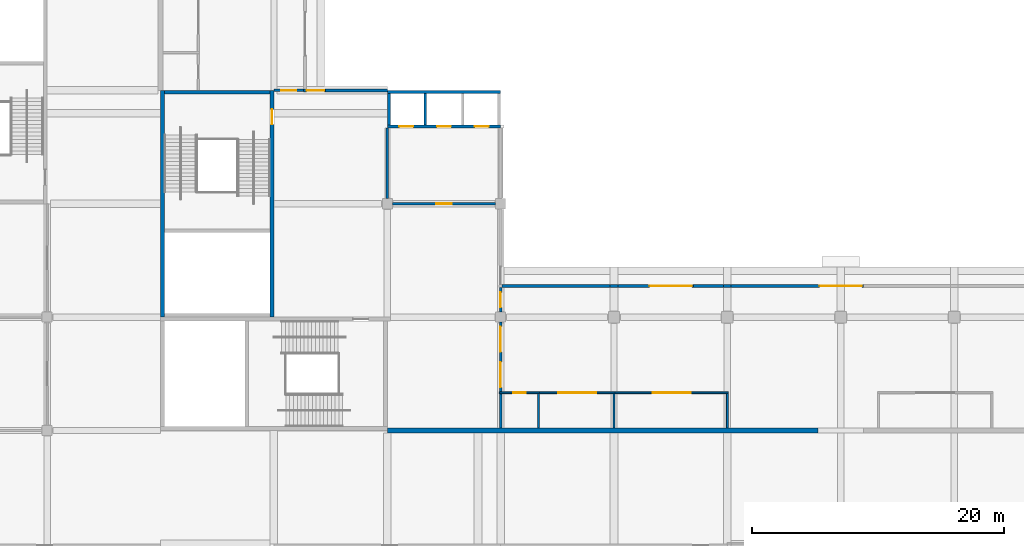
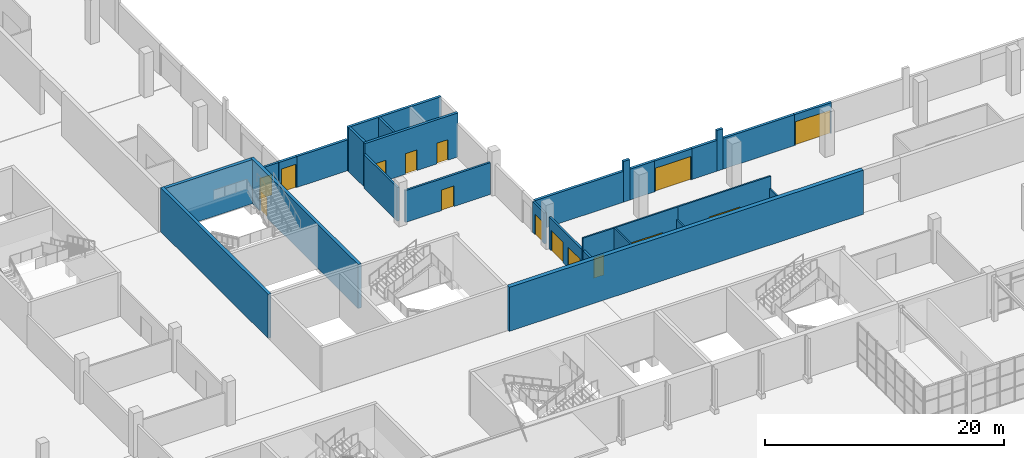
# One storey, part 94 of 168: 30 walls, 15 doors, 15 openings.
"""IFC4 building model written with IfcOpenShell, lengths in metres."""

from ifc_helpers import new_model, si_unit, direction, frame, frame_2d, origin, place, context, subcontext, project, spatial, rectangle, extrude, material, layer, layer_set, type_object, element, fill, save


model = new_model("IFC4")

# Units and contexts
model_context = context("Model", 3, precision=1e-05, world=origin(), true_north=direction((0.0, 1.0)))
body_context = subcontext(model_context, "Body", "Model", "MODEL_VIEW")
ifc_project = project(units=[si_unit("LENGTHUNIT", "METRE"), si_unit("AREAUNIT", "SQUARE_METRE"), si_unit("VOLUMEUNIT", "CUBIC_METRE"), si_unit("PLANEANGLEUNIT", "RADIAN"), si_unit("MASSUNIT", "GRAM", prefix="KILO")], contexts=[model_context])

# Site, building, storey
site_placement = place(None, origin())
site = spatial("IfcSite", under=ifc_project, at=site_placement, CompositionType="ELEMENT")
building_placement = place(site_placement, origin())
building = spatial("IfcBuilding", under=site, at=building_placement, Name="Silverbay Arena", CompositionType="ELEMENT")
storey_placement = place(building_placement, frame((0.0, 0.0, 7.0)))
storey = spatial("IfcBuildingStorey", under=building, at=storey_placement, Name="L01", CompositionType="ELEMENT", Elevation=7.0)

# Wall, opening, door
ifc_material_1 = material(Name="Concrete Grade C45", Category="concrete")
ifc_layer_1 = layer(ifc_material_1, 0.25)
ifc_layer_set_1 = layer_set([ifc_layer_1], Name="Concrete Grade C45")
wall_type_1 = type_object("IfcWallType", Name="Bowl enclosure wall RC 250 EI 120", PredefinedType="SOLIDWALL", material=ifc_layer_set_1)
wall_1_placement = place(storey_placement, frame((85.10009765625, 63.0, 0.0), z_axis=(0.0, 0.0, 1.0), x_axis=(-1.0, 0.0, 0.0)))
wall_1 = element("IfcWall", 1, at=wall_1_placement, inside=storey, type_object=wall_type_1, Name="gangway West lower stand end", PredefinedType="SOLIDWALL", context=body_context, shape_type="SweptSolid", body=[
    extrude(rectangle(XDim=1.75, YDim=0.25, at=frame_2d((0.875, 0.0))), origin(), (0.0, 0.0, 1.0), 3.14990234375),
])
opening_1_placement = place(wall_1_placement, frame((0.10009765625, 0.0, 0.0)))
opening_1 = element("IfcOpeningElement", 2, at=opening_1_placement, cuts=wall_1, Name="Opening L01-155", PredefinedType="OPENING", context=body_context, shape_type="SweptSolid", body=[
    extrude(rectangle(XDim=1.39990234375, YDim=2.39990234375, at=frame_2d((0.699951171875, 1.199951171875))), frame((0.0, 0.135009765625, 0.0), z_axis=(0.0, -1.0, 0.0), x_axis=(1.0, 0.0, 0.0)), (0.0, 0.0, 1.0), 0.27001953125),
])
ifc_material_2 = material(Name="Steel", Category="steel")
door_type_1 = type_object("IfcDoorType", Name="Fire door set 1400 x 2400 FD120S gangway", OperationType="DOUBLE_DOOR_SINGLE_SWING", PredefinedType="DOOR", material=ifc_material_2)
door_1_placement = place(opening_1_placement, origin())
door_1 = element("IfcDoor", 3, at=door_1_placement, inside=storey, type_object=door_type_1, Name="Fire door set L01 gangway West lower stand end", OperationType="DOUBLE_DOOR_SINGLE_SWING", OverallHeight=2.39990234375, OverallWidth=1.39990234375, PredefinedType="DOOR", context=body_context, shape_type="SweptSolid", body=[
    extrude(rectangle(XDim=1.39990234375, YDim=2.39990234375, at=frame_2d((0.699951171875, 1.199951171875))), frame((0.0, 0.02490234375, 0.0), z_axis=(0.0, -1.0, 0.0), x_axis=(1.0, 0.0, 0.0)), (0.0, 0.0, 1.0), 0.050048828125),
])
fill(opening_1, door_1)

# Wall
wall_2_placement = place(storey_placement, frame((85.10009765625, 63.0, 0.0), z_axis=(0.0, 0.0, 1.0), x_axis=(1.0, 0.0, 0.0)))
element("IfcWall", 4, at=wall_2_placement, inside=storey, type_object=wall_type_1, Name="Bowl enclosure wall, corner block SW-y", PredefinedType="SOLIDWALL", context=body_context, shape_type="SweptSolid", body=[
    extrude(rectangle(XDim=4.89990234375, YDim=0.25, at=frame_2d((2.449951171875, 0.0))), origin(), (0.0, 0.0, 1.0), 3.14990234375),
])

# Wall, opening, door
wall_3_placement = place(storey_placement, frame((124.199951171875, 47.47509765625, 0.0), z_axis=(0.0, 0.0, 1.0), x_axis=(1.0, 0.0, 0.0)))
wall_3 = element("IfcWall", 5, at=wall_3_placement, inside=storey, type_object=wall_type_1, Name="portal vomitory South 126", PredefinedType="SOLIDWALL", context=body_context, shape_type="SweptSolid", body=[
    extrude(rectangle(XDim=3.60009765625, YDim=0.25, at=frame_2d((1.800048828125, 0.0))), origin(), (0.0, 0.0, 1.0), 3.14990234375),
])
opening_2_placement = place(wall_3_placement, frame((0.10009765625, 0.0, 0.0)))
opening_2 = element("IfcOpeningElement", 6, at=opening_2_placement, cuts=wall_3, Name="Opening L01-159", PredefinedType="OPENING", context=body_context, shape_type="SweptSolid", body=[
    extrude(rectangle(XDim=3.39990234375, YDim=2.39990234375, at=frame_2d((1.699951171875, 1.199951171875))), frame((0.0, 0.135009765625, 0.0), z_axis=(0.0, -1.0, 0.0), x_axis=(1.0, 0.0, 0.0)), (0.0, 0.0, 1.0), 0.27001953125),
])
ifc_material_3 = material(Name="Steel", Category="steel")
door_type_2 = type_object("IfcDoorType", Name="Fire door set 3400 x 2400 FD120S portal", OperationType="DOUBLE_DOOR_SINGLE_SWING", PredefinedType="DOOR", material=ifc_material_3)
door_2_placement = place(opening_2_placement, frame((3.39990234375, 0.0, 0.0), z_axis=(0.0, 0.0, 1.0), x_axis=(-1.0, 0.0, 0.0)))
door_2 = element("IfcDoor", 7, at=door_2_placement, inside=storey, type_object=door_type_2, Name="Fire door set L01 portal vomitory South 126", OperationType="DOUBLE_DOOR_SINGLE_SWING", OverallHeight=2.39990234375, OverallWidth=3.39990234375, PredefinedType="DOOR", context=body_context, shape_type="SweptSolid", body=[
    extrude(rectangle(XDim=3.39990234375, YDim=2.39990234375, at=frame_2d((1.699951171875, 1.199951171875))), frame((0.0, 0.02490234375, 0.0), z_axis=(0.0, -1.0, 0.0), x_axis=(1.0, 0.0, 0.0)), (0.0, 0.0, 1.0), 0.050048828125),
])
fill(opening_2, door_2)

wall_4_placement = place(storey_placement, frame((110.699951171875, 47.47509765625, 0.0), z_axis=(0.0, 0.0, 1.0), x_axis=(1.0, 0.0, 0.0)))
wall_4 = element("IfcWall", 8, at=wall_4_placement, inside=storey, type_object=wall_type_1, Name="portal stand South 112.5", PredefinedType="SOLIDWALL", context=body_context, shape_type="SweptSolid", body=[
    extrude(rectangle(XDim=3.60009765625, YDim=0.25, at=frame_2d((1.800048828125, 0.0))), origin(), (0.0, 0.0, 1.0), 3.14990234375),
])
opening_3_placement = place(wall_4_placement, frame((0.10009765625, 0.0, 0.0)))
opening_3 = element("IfcOpeningElement", 9, at=opening_3_placement, cuts=wall_4, Name="Opening L01-165", PredefinedType="OPENING", context=body_context, shape_type="SweptSolid", body=[
    extrude(rectangle(XDim=3.39990234375, YDim=2.39990234375, at=frame_2d((1.699951171875, 1.199951171875))), frame((0.0, 0.135009765625, 0.0), z_axis=(0.0, -1.0, 0.0), x_axis=(1.0, 0.0, 0.0)), (0.0, 0.0, 1.0), 0.27001953125),
])
door_3_placement = place(opening_3_placement, frame((3.39990234375, 0.0, 0.0), z_axis=(0.0, 0.0, 1.0), x_axis=(-1.0, 0.0, 0.0)))
door_3 = element("IfcDoor", 10, at=door_3_placement, inside=storey, type_object=door_type_2, Name="Fire door set L01 portal stand South 112.5", OperationType="DOUBLE_DOOR_SINGLE_SWING", OverallHeight=2.39990234375, OverallWidth=3.39990234375, PredefinedType="DOOR", context=body_context, shape_type="SweptSolid", body=[
    extrude(rectangle(XDim=3.39990234375, YDim=2.39990234375, at=frame_2d((1.699951171875, 1.199951171875))), frame((0.0, 0.02490234375, 0.0), z_axis=(0.0, -1.0, 0.0), x_axis=(1.0, 0.0, 0.0)), (0.0, 0.0, 1.0), 0.050048828125),
])
fill(opening_3, door_3)

# Walls
wall_5_placement = place(storey_placement, frame((99.125, 47.47509765625, 0.0), z_axis=(0.0, 0.0, 1.0), x_axis=(1.0, 0.0, 0.0)))
element("IfcWall", 11, at=wall_5_placement, inside=storey, type_object=wall_type_1, Name="Bowl enclosure wall, South stand", PredefinedType="SOLIDWALL", context=body_context, shape_type="SweptSolid", body=[
    extrude(rectangle(XDim=8.574951171875, YDim=0.25, at=frame_2d((4.28759765625, 0.0))), origin(), (0.0, 0.0, 1.0), 3.14990234375),
])
wall_6_placement = place(storey_placement, frame((117.300048828125, 47.47509765625, 0.0), z_axis=(0.0, 0.0, 1.0), x_axis=(1.0, 0.0, 0.0)))
element("IfcWall", 12, at=wall_6_placement, inside=storey, type_object=wall_type_1, Name="Bowl enclosure wall, South stand", PredefinedType="SOLIDWALL", context=body_context, shape_type="SweptSolid", body=[
    extrude(rectangle(XDim=6.89990234375, YDim=0.25, at=frame_2d((3.449951171875, 0.0))), origin(), (0.0, 0.0, 1.0), 3.14990234375),
])
wall_7_placement = place(storey_placement, frame((107.699951171875, 47.47509765625, 0.0), z_axis=(0.0, 0.0, 1.0), x_axis=(1.0, 0.0, 0.0)))
element("IfcWall", 13, at=wall_7_placement, inside=storey, type_object=wall_type_1, Name="Bowl enclosure wall, South stand", PredefinedType="SOLIDWALL", context=body_context, shape_type="SweptSolid", body=[
    extrude(rectangle(XDim=0.60009765625, YDim=0.25, at=frame_2d((0.300048828125, 0.0))), origin(), (0.0, 0.0, 1.0), 4.14990234375),
])
for number, where, z_axis, x_axis, name in (
    (14, (108.300048828125, 47.47509765625, 0.0), (0.0, 0.0, 1.0), (1.0, 0.0, 0.0), "Bowl enclosure wall, South stand"),
    (15, (114.300048828125, 47.47509765625, 0.0), (0.0, 0.0, 1.0), (1.0, 0.0, 0.0), "Bowl enclosure wall, South stand"),
):
    element("IfcWall", number, at=place(storey_placement, frame(where, z_axis=z_axis, x_axis=x_axis)), inside=storey, type_object=wall_type_1, Name=name, PredefinedType="SOLIDWALL", context=body_context, shape_type="SweptSolid", body=[
        extrude(rectangle(XDim=2.39990234375, YDim=0.25, at=frame_2d((1.199951171875, 0.0))), origin(), (0.0, 0.0, 1.0), 3.14990234375),
    ])
wall_8_placement = place(storey_placement, frame((116.699951171875, 47.47509765625, 0.0), z_axis=(0.0, 0.0, 1.0), x_axis=(1.0, 0.0, 0.0)))
element("IfcWall", 16, at=wall_8_placement, inside=storey, type_object=wall_type_1, Name="Bowl enclosure wall, South stand", PredefinedType="SOLIDWALL", context=body_context, shape_type="SweptSolid", body=[
    extrude(rectangle(XDim=0.60009765625, YDim=0.25, at=frame_2d((0.300048828125, 0.0))), origin(), (0.0, 0.0, 1.0), 4.14990234375),
])

# Wall, opening, door
ifc_material_4 = material(Name="Concrete Grade C45", Category="concrete")
ifc_layer_2 = layer(ifc_material_4, 0.300048828125)
ifc_layer_set_2 = layer_set([ifc_layer_2], Name="Concrete Grade C45")
wall_type_2 = type_object("IfcWallType", Name="Core wall RC 300 EI 120", PredefinedType="SHEAR", material=ifc_layer_set_2)
wall_9_placement = place(storey_placement, frame((80.85009765625, 63.0, 0.0), z_axis=(0.0, 0.0, 1.0), x_axis=(0.0, -1.0, 0.0)))
wall_9 = element("IfcWall", 17, at=wall_9_placement, inside=storey, type_object=wall_type_2, Name="Core wall ST-SW2 L01 door side", PredefinedType="SHEAR", context=body_context, shape_type="SweptSolid", body=[
    extrude(rectangle(XDim=18.0, YDim=0.300048828125, at=frame_2d((9.0, 0.0))), origin(), (0.0, 0.0, 1.0), 4.5),
])
opening_4_placement = place(wall_9_placement, frame((1.5, 0.0, 0.0)))
opening_4 = element("IfcOpeningElement", 18, at=opening_4_placement, cuts=wall_9, Name="Opening L01-118", PredefinedType="OPENING", context=body_context, shape_type="SweptSolid", body=[
    extrude(rectangle(XDim=1.199951171875, YDim=2.10009765625, at=frame_2d((0.60009765625, 1.050048828125))), frame((0.0, 0.16015625, 0.0), z_axis=(0.0, -1.0, 0.0), x_axis=(1.0, 0.0, 0.0)), (0.0, 0.0, 1.0), 0.320068359375),
])
ifc_material_5 = material(Name="Steel fire door", Category="steel")
door_type_3 = type_object("IfcDoorType", Name="Stair door 1200 x 2100 fire door", OperationType="SINGLE_SWING_LEFT", PredefinedType="DOOR", material=ifc_material_5)
door_4_placement = place(opening_4_placement, frame((1.199951171875, 0.0, 0.0), z_axis=(0.0, 0.0, 1.0), x_axis=(-1.0, 0.0, 0.0)))
door_4 = element("IfcDoor", 19, at=door_4_placement, inside=storey, type_object=door_type_3, Name="Stair door ST-SW2 L01", OperationType="SINGLE_SWING_RIGHT", OverallHeight=2.10009765625, OverallWidth=1.199951171875, PredefinedType="DOOR", context=body_context, shape_type="SweptSolid", body=[
    extrude(rectangle(XDim=1.199951171875, YDim=2.10009765625, at=frame_2d((0.60009765625, 1.050048828125))), frame((0.0, 0.02490234375, 0.0), z_axis=(0.0, -1.0, 0.0), x_axis=(1.0, 0.0, 0.0)), (0.0, 0.0, 1.0), 0.050048828125),
])
fill(opening_4, door_4)

# Walls
wall_10_placement = place(storey_placement, frame((72.14990234375, 63.0, 0.0), z_axis=(0.0, 0.0, 1.0), x_axis=(0.0, -1.0, 0.0)))
element("IfcWall", 20, at=wall_10_placement, inside=storey, type_object=wall_type_2, Name="Core wall ST-SW2 L01 far side", PredefinedType="SHEAR", context=body_context, shape_type="SweptSolid", body=[
    extrude(rectangle(XDim=18.0, YDim=0.300048828125, at=frame_2d((9.0, 0.0))), origin(), (0.0, 0.0, 1.0), 4.5),
])
wall_11_placement = place(storey_placement, frame((80.699951171875, 62.85009765625, 0.0), z_axis=(0.0, 0.0, 1.0), x_axis=(-1.0, 0.0, 0.0)))
element("IfcWall", 21, at=wall_11_placement, inside=storey, type_object=wall_type_2, Name="Core wall ST-SW2 L01 end 1", PredefinedType="SHEAR", context=body_context, shape_type="SweptSolid", body=[
    extrude(rectangle(XDim=8.39990234375, YDim=0.300048828125, at=frame_2d((4.199951171875, 0.0))), origin(), (0.0, 0.0, 1.0), 4.5),
])
ifc_material_6 = material(Name="Concrete Grade C45", Category="concrete")
ifc_layer_3 = layer(ifc_material_6, 0.199951171875)
ifc_layer_set_3 = layer_set([ifc_layer_3], Name="Concrete Grade C45")
wall_type_3 = type_object("IfcWallType", Name="Lift shaft divider RC 200 EI 120", PredefinedType="SHEAR", material=ifc_layer_set_3)
wall_12_placement = place(storey_placement, frame((93.0, 60.25, 0.0), z_axis=(0.0, 0.0, 1.0), x_axis=(0.0, 1.0, 0.0)))
element("IfcWall", 22, at=wall_12_placement, inside=storey, type_object=wall_type_3, Name="Lift shaft divider LB-SW L01 1", PredefinedType="SHEAR", context=body_context, shape_type="SweptSolid", body=[
    extrude(rectangle(XDim=2.5, YDim=0.199951171875, at=frame_2d((1.25, 0.0))), origin(), (0.0, 0.0, 1.0), 4.5),
])

# Wall, openings, doors
ifc_material_7 = material(Name="Concrete Grade C45", Category="concrete")
ifc_layer_4 = layer(ifc_material_7, 0.25)
ifc_layer_set_4 = layer_set([ifc_layer_4], Name="Concrete Grade C45")
wall_type_4 = type_object("IfcWallType", Name="Lift shaft wall RC 250 EI 120", PredefinedType="SHEAR", material=ifc_layer_set_4)
wall_13_placement = place(storey_placement, frame((90.0, 60.125, 0.0), z_axis=(0.0, 0.0, 1.0), x_axis=(1.0, 0.0, 0.0)))
wall_13 = element("IfcWall", 23, at=wall_13_placement, inside=storey, type_object=wall_type_4, Name="Lift shaft wall LB-SW L01 landing side", PredefinedType="SHEAR", context=body_context, shape_type="SweptSolid", body=[
    extrude(rectangle(XDim=9.0, YDim=0.25, at=frame_2d((4.5, 0.0))), origin(), (0.0, 0.0, 1.0), 4.5),
])
opening_5_placement = place(wall_13_placement, frame((0.949951171875, 0.0, 0.0)))
opening_5 = element("IfcOpeningElement", 24, at=opening_5_placement, cuts=wall_13, Name="Opening L01-129", PredefinedType="OPENING", context=body_context, shape_type="SweptSolid", body=[
    extrude(rectangle(XDim=1.10009765625, YDim=2.10009765625, at=frame_2d((0.550048828125, 1.050048828125))), frame((0.0, 0.135009765625, 0.0), z_axis=(0.0, -1.0, 0.0), x_axis=(1.0, 0.0, 0.0)), (0.0, 0.0, 1.0), 0.27001953125),
])
opening_6_placement = place(wall_13_placement, frame((3.949951171875, 0.0, 0.0)))
opening_6 = element("IfcOpeningElement", 25, at=opening_6_placement, cuts=wall_13, Name="Opening L01-130", PredefinedType="OPENING", context=body_context, shape_type="SweptSolid", body=[
    extrude(rectangle(XDim=1.10009765625, YDim=2.10009765625, at=frame_2d((0.550048828125, 1.050048828125))), frame((0.0, 0.135009765625, 0.0), z_axis=(0.0, -1.0, 0.0), x_axis=(1.0, 0.0, 0.0)), (0.0, 0.0, 1.0), 0.27001953125),
])
opening_7_placement = place(wall_13_placement, frame((6.949951171875, 0.0, 0.0)))
opening_7 = element("IfcOpeningElement", 26, at=opening_7_placement, cuts=wall_13, Name="Opening L01-131", PredefinedType="OPENING", context=body_context, shape_type="SweptSolid", body=[
    extrude(rectangle(XDim=1.10009765625, YDim=2.10009765625, at=frame_2d((0.550048828125, 1.050048828125))), frame((0.0, 0.135009765625, 0.0), z_axis=(0.0, -1.0, 0.0), x_axis=(1.0, 0.0, 0.0)), (0.0, 0.0, 1.0), 0.27001953125),
])
ifc_material_8 = material(Name="Stainless steel", Category="steel")
door_type_4 = type_object("IfcDoorType", Name="LD1 lift landing door 1100 x 2100", OperationType="DOUBLE_DOOR_SLIDING", PredefinedType="DOOR", material=ifc_material_8)
door_5_placement = place(opening_5_placement, origin())
door_5 = element("IfcDoor", 27, at=door_5_placement, inside=storey, type_object=door_type_4, Name="Lift landing door LF2 L01", OperationType="DOUBLE_DOOR_SLIDING", OverallHeight=2.10009765625, OverallWidth=1.10009765625, PredefinedType="DOOR", context=body_context, shape_type="SweptSolid", body=[
    extrude(rectangle(XDim=1.10009765625, YDim=2.10009765625, at=frame_2d((0.550048828125, 1.050048828125))), frame((0.0, 0.02490234375, 0.0), z_axis=(0.0, -1.0, 0.0), x_axis=(1.0, 0.0, 0.0)), (0.0, 0.0, 1.0), 0.050048828125),
])
fill(opening_5, door_5)
door_6_placement = place(opening_6_placement, origin())
door_6 = element("IfcDoor", 28, at=door_6_placement, inside=storey, type_object=door_type_4, Name="Lift landing door LF4 L01", OperationType="DOUBLE_DOOR_SLIDING", OverallHeight=2.10009765625, OverallWidth=1.10009765625, PredefinedType="DOOR", context=body_context, shape_type="SweptSolid", body=[
    extrude(rectangle(XDim=1.10009765625, YDim=2.10009765625, at=frame_2d((0.550048828125, 1.050048828125))), frame((0.0, 0.02490234375, 0.0), z_axis=(0.0, -1.0, 0.0), x_axis=(1.0, 0.0, 0.0)), (0.0, 0.0, 1.0), 0.050048828125),
])
fill(opening_6, door_6)
door_7_placement = place(opening_7_placement, origin())
door_7 = element("IfcDoor", 29, at=door_7_placement, inside=storey, type_object=door_type_4, Name="Lift landing door LF5 L01", OperationType="DOUBLE_DOOR_SLIDING", OverallHeight=2.10009765625, OverallWidth=1.10009765625, PredefinedType="DOOR", context=body_context, shape_type="SweptSolid", body=[
    extrude(rectangle(XDim=1.10009765625, YDim=2.10009765625, at=frame_2d((0.550048828125, 1.050048828125))), frame((0.0, 0.02490234375, 0.0), z_axis=(0.0, -1.0, 0.0), x_axis=(1.0, 0.0, 0.0)), (0.0, 0.0, 1.0), 0.050048828125),
])
fill(opening_7, door_7)

# Walls
wall_14_placement = place(storey_placement, frame((90.0, 62.875, 0.0), z_axis=(0.0, 0.0, 1.0), x_axis=(1.0, 0.0, 0.0)))
element("IfcWall", 30, at=wall_14_placement, inside=storey, type_object=wall_type_4, Name="Lift shaft wall LB-SW L01 back", PredefinedType="SHEAR", context=body_context, shape_type="SweptSolid", body=[
    extrude(rectangle(XDim=9.0, YDim=0.25, at=frame_2d((4.5, 0.0))), origin(), (0.0, 0.0, 1.0), 4.5),
])
wall_15_placement = place(storey_placement, frame((90.125, 60.25, 0.0), z_axis=(0.0, 0.0, 1.0), x_axis=(0.0, 1.0, 0.0)))
element("IfcWall", 31, at=wall_15_placement, inside=storey, type_object=wall_type_4, Name="Lift shaft wall LB-SW L01 end", PredefinedType="SHEAR", context=body_context, shape_type="SweptSolid", body=[
    extrude(rectangle(XDim=2.5, YDim=0.25, at=frame_2d((1.25, 0.0))), origin(), (0.0, 0.0, 1.0), 4.5),
])

# Wall, opening, door
ifc_material_9 = material(Name="Gypsum board partition on steel studs", Category="steel")
ifc_layer_5 = layer(ifc_material_9, 0.14990234375)
ifc_layer_set_5 = layer_set([ifc_layer_5], Name="Gypsum board partition on steel studs")
wall_type_5 = type_object("IfcWallType", Name="Partition 150 EI 60", PredefinedType="PARTITIONING", material=ifc_layer_set_5)
wall_16_placement = place(storey_placement, frame((98.89990234375, 39.0, 0.0), z_axis=(0.0, 0.0, 1.0), x_axis=(1.0, 0.0, 0.0)))
wall_16 = element("IfcWall", 32, at=wall_16_placement, inside=storey, type_object=wall_type_5, Name="Partition wall", PredefinedType="PARTITIONING", context=body_context, shape_type="SweptSolid", body=[
    extrude(rectangle(XDim=3.175048828125, YDim=0.14990234375, at=frame_2d((1.58740234375, 0.0))), origin(), (0.0, 0.0, 1.0), 4.5),
])
opening_8_placement = place(wall_16_placement, frame((1.0869140625, 0.0, 0.0)))
opening_8 = element("IfcOpeningElement", 33, at=opening_8_placement, cuts=wall_16, Name="Opening L01-017", PredefinedType="OPENING", context=body_context, shape_type="SweptSolid", body=[
    extrude(rectangle(XDim=1.0, YDim=2.10009765625, at=frame_2d((0.5, 1.050048828125))), frame((0.0, 0.0849609375, 0.0), z_axis=(0.0, -1.0, 0.0), x_axis=(1.0, 0.0, 0.0)), (0.0, 0.0, 1.0), 0.169921875),
])
ifc_material_10 = material(Name="Steel faced timber", Category="steel")
door_type_5 = type_object("IfcDoorType", Name="Single leaf door 1000 x 2100 FD30S", OperationType="SINGLE_SWING_LEFT", PredefinedType="DOOR", material=ifc_material_10)
door_8_placement = place(opening_8_placement, frame((1.0, 0.0, 0.0), z_axis=(0.0, 0.0, 1.0), x_axis=(-1.0, 0.0, 0.0)))
door_8 = element("IfcDoor", 34, at=door_8_placement, inside=storey, type_object=door_type_5, Name="Door L01-017", OperationType="SINGLE_SWING_RIGHT", OverallHeight=2.10009765625, OverallWidth=1.0, PredefinedType="DOOR", context=body_context, shape_type="SweptSolid", body=[
    extrude(rectangle(XDim=1.0, YDim=2.10009765625, at=frame_2d((0.5, 1.050048828125))), frame((0.0, 0.02490234375, 0.0), z_axis=(0.0, -1.0, 0.0), x_axis=(1.0, 0.0, 0.0)), (0.0, 0.0, 1.0), 0.050048828125),
])
fill(opening_8, door_8)

wall_17_placement = place(storey_placement, frame((102.074951171875, 39.0, 0.0), z_axis=(0.0, 0.0, 1.0), x_axis=(1.0, 0.0, 0.0)))
wall_17 = element("IfcWall", 35, at=wall_17_placement, inside=storey, type_object=wall_type_5, Name="Partition wall", PredefinedType="PARTITIONING", context=body_context, shape_type="SweptSolid", body=[
    extrude(rectangle(XDim=6.0, YDim=0.14990234375, at=frame_2d((3.0, 0.0))), origin(), (0.0, 0.0, 1.0), 4.5),
])
opening_9_placement = place(wall_17_placement, frame((1.5, 0.0, 0.0)))
opening_9 = element("IfcOpeningElement", 36, at=opening_9_placement, cuts=wall_17, Name="Opening L01-018", PredefinedType="OPENING", context=body_context, shape_type="SweptSolid", body=[
    extrude(rectangle(XDim=3.0, YDim=2.39990234375, at=frame_2d((1.5, 1.199951171875))), frame((0.0, 0.0849609375, 0.0), z_axis=(0.0, -1.0, 0.0), x_axis=(1.0, 0.0, 0.0)), (0.0, 0.0, 1.0), 0.169921875),
])
ifc_material_11 = material(Name="Steel", Category="steel")
door_type_6 = type_object("IfcDoorType", Name="Roller shutter 3000 x 2400 FD30S", OperationType="ROLLINGUP", PredefinedType="DOOR", material=ifc_material_11)
door_9_placement = place(opening_9_placement, origin())
door_9 = element("IfcDoor", 37, at=door_9_placement, inside=storey, type_object=door_type_6, Name="Door L01-018", OperationType="ROLLINGUP", OverallHeight=2.39990234375, OverallWidth=3.0, PredefinedType="DOOR", context=body_context, shape_type="SweptSolid", body=[
    extrude(rectangle(XDim=3.0, YDim=2.39990234375, at=frame_2d((1.5, 1.199951171875))), frame((0.0, 0.02490234375, 0.0), z_axis=(0.0, -1.0, 0.0), x_axis=(1.0, 0.0, 0.0)), (0.0, 0.0, 1.0), 0.050048828125),
])
fill(opening_9, door_9)

wall_18_placement = place(storey_placement, frame((108.074951171875, 39.0, 0.0), z_axis=(0.0, 0.0, 1.0), x_axis=(1.0, 0.0, 0.0)))
wall_18 = element("IfcWall", 38, at=wall_18_placement, inside=storey, type_object=wall_type_5, Name="Partition wall", PredefinedType="PARTITIONING", context=body_context, shape_type="SweptSolid", body=[
    extrude(rectangle(XDim=9.0, YDim=0.14990234375, at=frame_2d((4.5, 0.0))), origin(), (0.0, 0.0, 1.0), 4.5),
])
opening_10_placement = place(wall_18_placement, frame((3.0, 0.0, 0.0)))
opening_10 = element("IfcOpeningElement", 39, at=opening_10_placement, cuts=wall_18, Name="Opening L01-019", PredefinedType="OPENING", context=body_context, shape_type="SweptSolid", body=[
    extrude(rectangle(XDim=3.0, YDim=2.39990234375, at=frame_2d((1.5, 1.199951171875))), frame((0.0, 0.0849609375, 0.0), z_axis=(0.0, -1.0, 0.0), x_axis=(1.0, 0.0, 0.0)), (0.0, 0.0, 1.0), 0.169921875),
])
door_10_placement = place(opening_10_placement, origin())
door_10 = element("IfcDoor", 40, at=door_10_placement, inside=storey, type_object=door_type_6, Name="Door L01-019", OperationType="ROLLINGUP", OverallHeight=2.39990234375, OverallWidth=3.0, PredefinedType="DOOR", context=body_context, shape_type="SweptSolid", body=[
    extrude(rectangle(XDim=3.0, YDim=2.39990234375, at=frame_2d((1.5, 1.199951171875))), frame((0.0, 0.02490234375, 0.0), z_axis=(0.0, -1.0, 0.0), x_axis=(1.0, 0.0, 0.0)), (0.0, 0.0, 1.0), 0.050048828125),
])
fill(opening_10, door_10)

# Walls
wall_19_placement = place(storey_placement, frame((102.0, 36.199951171875, 0.0), z_axis=(0.0, 0.0, 1.0), x_axis=(0.0, 1.0, 0.0)))
element("IfcWall", 41, at=wall_19_placement, inside=storey, type_object=wall_type_5, Name="Partition wall", PredefinedType="PARTITIONING", context=body_context, shape_type="SweptSolid", body=[
    extrude(rectangle(XDim=2.72509765625, YDim=0.14990234375, at=frame_2d((1.362548828125, 0.0))), origin(), (0.0, 0.0, 1.0), 4.5),
])
for number, where, z_axis, x_axis, name in (
    (42, (108.0, 36.199951171875, 0.0), (0.0, 0.0, 1.0), (0.0, 1.0, 0.0), "Partition wall"),
    (43, (117.0, 36.199951171875, 0.0), (0.0, 0.0, 1.0), (0.0, 1.0, 0.0), "Partition wall"),
):
    element("IfcWall", number, at=place(storey_placement, frame(where, z_axis=z_axis, x_axis=x_axis)), inside=storey, type_object=wall_type_5, Name=name, PredefinedType="PARTITIONING", context=body_context, shape_type="SweptSolid", body=[
        extrude(rectangle(XDim=2.72509765625, YDim=0.14990234375, at=frame_2d((1.362548828125, 0.0))), origin(), (0.0, 0.0, 1.0), 3.25),
    ])

# Wall, opening, door
ifc_material_12 = material(Name="Masonry blockwork partition", Category="masonry")
ifc_layer_6 = layer(ifc_material_12, 0.199951171875)
ifc_layer_set_6 = layer_set([ifc_layer_6], Name="Masonry blockwork partition")
wall_type_6 = type_object("IfcWallType", Name="Partition 200 EI 120", PredefinedType="PARTITIONING", material=ifc_layer_set_6)
wall_20_placement = place(storey_placement, frame((90.39990234375, 54.0, 0.0), z_axis=(0.0, 0.0, 1.0), x_axis=(1.0, 0.0, 0.0)))
wall_20 = element("IfcWall", 44, at=wall_20_placement, inside=storey, type_object=wall_type_6, Name="Partition wall", PredefinedType="PARTITIONING", context=body_context, shape_type="SweptSolid", body=[
    extrude(rectangle(XDim=8.2001953125, YDim=0.199951171875, at=frame_2d((4.10009765625, 0.0))), origin(), (0.0, 0.0, 1.0), 3.25),
])
opening_11_placement = place(wall_20_placement, frame((3.5, 0.0, 0.0)))
opening_11 = element("IfcOpeningElement", 45, at=opening_11_placement, cuts=wall_20, Name="Opening L01-013", PredefinedType="OPENING", context=body_context, shape_type="SweptSolid", body=[
    extrude(rectangle(XDim=1.199951171875, YDim=2.10009765625, at=frame_2d((0.60009765625, 1.050048828125))), frame((0.0, 0.10986328125, 0.0), z_axis=(0.0, -1.0, 0.0), x_axis=(1.0, 0.0, 0.0)), (0.0, 0.0, 1.0), 0.219970703125),
])
ifc_material_13 = material(Name="Steel faced timber", Category="steel")
door_type_7 = type_object("IfcDoorType", Name="Single leaf door 1200 x 2100 FD60", OperationType="SINGLE_SWING_LEFT", PredefinedType="DOOR", material=ifc_material_13)
door_11_placement = place(opening_11_placement, frame((1.199951171875, 0.0, 0.0), z_axis=(0.0, 0.0, 1.0), x_axis=(-1.0, 0.0, 0.0)))
door_11 = element("IfcDoor", 46, at=door_11_placement, inside=storey, type_object=door_type_7, Name="Door L01-013", OperationType="SINGLE_SWING_RIGHT", OverallHeight=2.10009765625, OverallWidth=1.199951171875, PredefinedType="DOOR", context=body_context, shape_type="SweptSolid", body=[
    extrude(rectangle(XDim=1.199951171875, YDim=2.10009765625, at=frame_2d((0.60009765625, 1.050048828125))), frame((0.0, 0.02490234375, 0.0), z_axis=(0.0, -1.0, 0.0), x_axis=(1.0, 0.0, 0.0)), (0.0, 0.0, 1.0), 0.050048828125),
])
fill(opening_11, door_11)

wall_21_placement = place(storey_placement, frame((81.0, 63.0, 0.0), z_axis=(0.0, 0.0, 1.0), x_axis=(1.0, 0.0, 0.0)))
wall_21 = element("IfcWall", 47, at=wall_21_placement, inside=storey, type_object=wall_type_6, Name="Partition wall", PredefinedType="PARTITIONING", context=body_context, shape_type="SweptSolid", body=[
    extrude(rectangle(XDim=2.35009765625, YDim=0.199951171875, at=frame_2d((1.175048828125, 0.0))), origin(), (0.0, 0.0, 1.0), 3.14990234375),
])
opening_12_placement = place(wall_21_placement, frame((0.574951171875, 0.0, 0.0)))
opening_12 = element("IfcOpeningElement", 48, at=opening_12_placement, cuts=wall_21, Name="Opening L01-077", PredefinedType="OPENING", context=body_context, shape_type="SweptSolid", body=[
    extrude(rectangle(XDim=1.199951171875, YDim=2.10009765625, at=frame_2d((0.60009765625, 1.050048828125))), frame((0.0, 0.10986328125, 0.0), z_axis=(0.0, -1.0, 0.0), x_axis=(1.0, 0.0, 0.0)), (0.0, 0.0, 1.0), 0.219970703125),
])
door_12_placement = place(opening_12_placement, frame((1.199951171875, 0.0, 0.0), z_axis=(0.0, 0.0, 1.0), x_axis=(-1.0, 0.0, 0.0)))
door_12 = element("IfcDoor", 49, at=door_12_placement, inside=storey, type_object=door_type_7, Name="Door L01-077", OperationType="SINGLE_SWING_RIGHT", OverallHeight=2.10009765625, OverallWidth=1.199951171875, PredefinedType="DOOR", context=body_context, shape_type="SweptSolid", body=[
    extrude(rectangle(XDim=1.199951171875, YDim=2.10009765625, at=frame_2d((0.60009765625, 1.050048828125))), frame((0.0, 0.02490234375, 0.0), z_axis=(0.0, -1.0, 0.0), x_axis=(1.0, 0.0, 0.0)), (0.0, 0.0, 1.0), 0.050048828125),
])
fill(opening_12, door_12)

# Wall
wall_22_placement = place(storey_placement, frame((90.0, 54.39990234375, 0.0), z_axis=(0.0, 0.0, 1.0), x_axis=(0.0, 1.0, 0.0)))
element("IfcWall", 50, at=wall_22_placement, inside=storey, type_object=wall_type_6, Name="Partition wall", PredefinedType="PARTITIONING", context=body_context, shape_type="SweptSolid", body=[
    extrude(rectangle(XDim=5.60009765625, YDim=0.199951171875, at=frame_2d((2.800048828125, 0.0))), origin(), (0.0, 0.0, 1.0), 3.449951171875),
])

# Wall, openings, doors
wall_23_placement = place(storey_placement, frame((99.0, 39.074951171875, 0.0), z_axis=(0.0, 0.0, 1.0), x_axis=(0.0, 1.0, 0.0)))
wall_23 = element("IfcWall", 51, at=wall_23_placement, inside=storey, type_object=wall_type_6, Name="Partition wall", PredefinedType="PARTITIONING", context=body_context, shape_type="SweptSolid", body=[
    extrude(rectangle(XDim=5.525146484375, YDim=0.199951171875, at=frame_2d((2.7626953125, 0.0))), origin(), (0.0, 0.0, 1.0), 3.25),
])
opening_13_placement = place(wall_23_placement, frame((0.35009765625, 0.0, 0.0)))
opening_13 = element("IfcOpeningElement", 52, at=opening_13_placement, cuts=wall_23, Name="Opening L01-065", PredefinedType="OPENING", context=body_context, shape_type="SweptSolid", body=[
    extrude(rectangle(XDim=2.0, YDim=2.10009765625, at=frame_2d((1.0, 1.050048828125))), frame((0.0, 0.10986328125, 0.0), z_axis=(0.0, -1.0, 0.0), x_axis=(1.0, 0.0, 0.0)), (0.0, 0.0, 1.0), 0.219970703125),
])
opening_14_placement = place(wall_23_placement, frame((3.175048828125, 0.0, 0.0)))
opening_14 = element("IfcOpeningElement", 53, at=opening_14_placement, cuts=wall_23, Name="Opening L01-066", PredefinedType="OPENING", context=body_context, shape_type="SweptSolid", body=[
    extrude(rectangle(XDim=2.0, YDim=2.10009765625, at=frame_2d((1.0, 1.050048828125))), frame((0.0, 0.10986328125, 0.0), z_axis=(0.0, -1.0, 0.0), x_axis=(1.0, 0.0, 0.0)), (0.0, 0.0, 1.0), 0.219970703125),
])
ifc_material_14 = material(Name="Steel faced timber", Category="steel")
door_type_8 = type_object("IfcDoorType", Name="Double leaf door 2000 x 2100 FD60", OperationType="DOUBLE_DOOR_DOUBLE_SWING", PredefinedType="DOOR", material=ifc_material_14)
door_13_placement = place(opening_13_placement, origin())
door_13 = element("IfcDoor", 54, at=door_13_placement, inside=storey, type_object=door_type_8, Name="Door L01-065", OperationType="DOUBLE_DOOR_DOUBLE_SWING", OverallHeight=2.10009765625, OverallWidth=2.0, PredefinedType="DOOR", context=body_context, shape_type="SweptSolid", body=[
    extrude(rectangle(XDim=2.0, YDim=2.10009765625, at=frame_2d((1.0, 1.050048828125))), frame((0.0, 0.02490234375, 0.0), z_axis=(0.0, -1.0, 0.0), x_axis=(1.0, 0.0, 0.0)), (0.0, 0.0, 1.0), 0.050048828125),
])
fill(opening_13, door_13)
door_14_placement = place(opening_14_placement, origin())
door_14 = element("IfcDoor", 55, at=door_14_placement, inside=storey, type_object=door_type_8, Name="Door L01-066", OperationType="DOUBLE_DOOR_DOUBLE_SWING", OverallHeight=2.10009765625, OverallWidth=2.0, PredefinedType="DOOR", context=body_context, shape_type="SweptSolid", body=[
    extrude(rectangle(XDim=2.0, YDim=2.10009765625, at=frame_2d((1.0, 1.050048828125))), frame((0.0, 0.02490234375, 0.0), z_axis=(0.0, -1.0, 0.0), x_axis=(1.0, 0.0, 0.0)), (0.0, 0.0, 1.0), 0.050048828125),
])
fill(opening_14, door_14)

# Wall, opening, door
wall_24_placement = place(storey_placement, frame((99.0, 45.39990234375, 0.0), z_axis=(0.0, 0.0, 1.0), x_axis=(0.0, 1.0, 0.0)))
wall_24 = element("IfcWall", 56, at=wall_24_placement, inside=storey, type_object=wall_type_6, Name="Partition wall", PredefinedType="PARTITIONING", context=body_context, shape_type="SweptSolid", body=[
    extrude(rectangle(XDim=1.9501953125, YDim=0.199951171875, at=frame_2d((0.97509765625, 0.0))), origin(), (0.0, 0.0, 1.0), 3.14990234375),
])
opening_15_placement = place(wall_24_placement, frame((0.375, 0.0, 0.0)))
opening_15 = element("IfcOpeningElement", 57, at=opening_15_placement, cuts=wall_24, Name="Opening L01-067", PredefinedType="OPENING", context=body_context, shape_type="SweptSolid", body=[
    extrude(rectangle(XDim=1.199951171875, YDim=2.10009765625, at=frame_2d((0.60009765625, 1.050048828125))), frame((0.0, 0.10986328125, 0.0), z_axis=(0.0, -1.0, 0.0), x_axis=(1.0, 0.0, 0.0)), (0.0, 0.0, 1.0), 0.219970703125),
])
door_15_placement = place(opening_15_placement, origin())
door_15 = element("IfcDoor", 58, at=door_15_placement, inside=storey, type_object=door_type_7, Name="Door L01-067", OperationType="SINGLE_SWING_LEFT", OverallHeight=2.10009765625, OverallWidth=1.199951171875, PredefinedType="DOOR", context=body_context, shape_type="SweptSolid", body=[
    extrude(rectangle(XDim=1.199951171875, YDim=2.10009765625, at=frame_2d((0.60009765625, 1.050048828125))), frame((0.0, 0.02490234375, 0.0), z_axis=(0.0, -1.0, 0.0), x_axis=(1.0, 0.0, 0.0)), (0.0, 0.0, 1.0), 0.050048828125),
])
fill(opening_15, door_15)

# Walls
ifc_material_15 = material(Name="Gypsum board partition on steel studs", Category="steel")
ifc_layer_7 = layer(ifc_material_15, 0.199951171875)
ifc_layer_set_7 = layer_set([ifc_layer_7], Name="Gypsum board partition on steel studs")
wall_type_7 = type_object("IfcWallType", Name="Partition 200 EI 60", PredefinedType="PARTITIONING", material=ifc_layer_set_7)
wall_25_placement = place(storey_placement, frame((99.0, 36.199951171875, 0.0), z_axis=(0.0, 0.0, 1.0), x_axis=(0.0, 1.0, 0.0)))
element("IfcWall", 59, at=wall_25_placement, inside=storey, type_object=wall_type_7, Name="Partition wall", PredefinedType="PARTITIONING", context=body_context, shape_type="SweptSolid", body=[
    extrude(rectangle(XDim=2.72509765625, YDim=0.199951171875, at=frame_2d((1.362548828125, 0.0))), origin(), (0.0, 0.0, 1.0), 3.25),
])
ifc_material_16 = material(Name="Concrete Grade C45", Category="concrete")
ifc_layer_8 = layer(ifc_material_16, 0.39990234375)
ifc_layer_set_8 = layer_set([ifc_layer_8], Name="Concrete Grade C45")
wall_type_8 = type_object("IfcWallType", Name="RC back wall 400 EI 120", PredefinedType="SOLIDWALL", material=ifc_layer_set_8)
wall_26_placement = place(storey_placement, frame((90.0, 36.0, 0.0), z_axis=(0.0, 0.0, 1.0), x_axis=(1.0, 0.0, 0.0)))
element("IfcWall", 60, at=wall_26_placement, inside=storey, type_object=wall_type_8, Name="Bowl back wall L01 01", PredefinedType="SOLIDWALL", context=body_context, shape_type="SweptSolid", body=[
    extrude(rectangle(XDim=34.199951171875, YDim=0.39990234375, at=frame_2d((17.10009765625, 0.0))), origin(), (0.0, 0.0, 1.0), 4.5),
])

save(model, "model.ifc")
